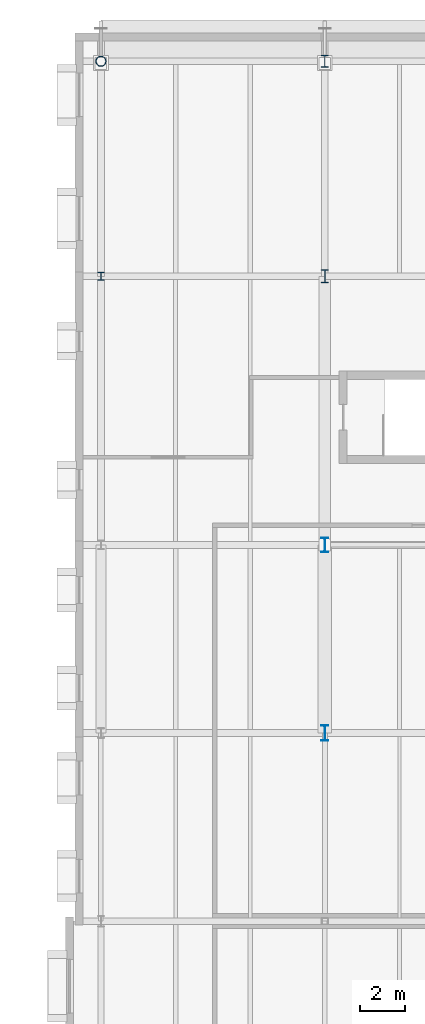
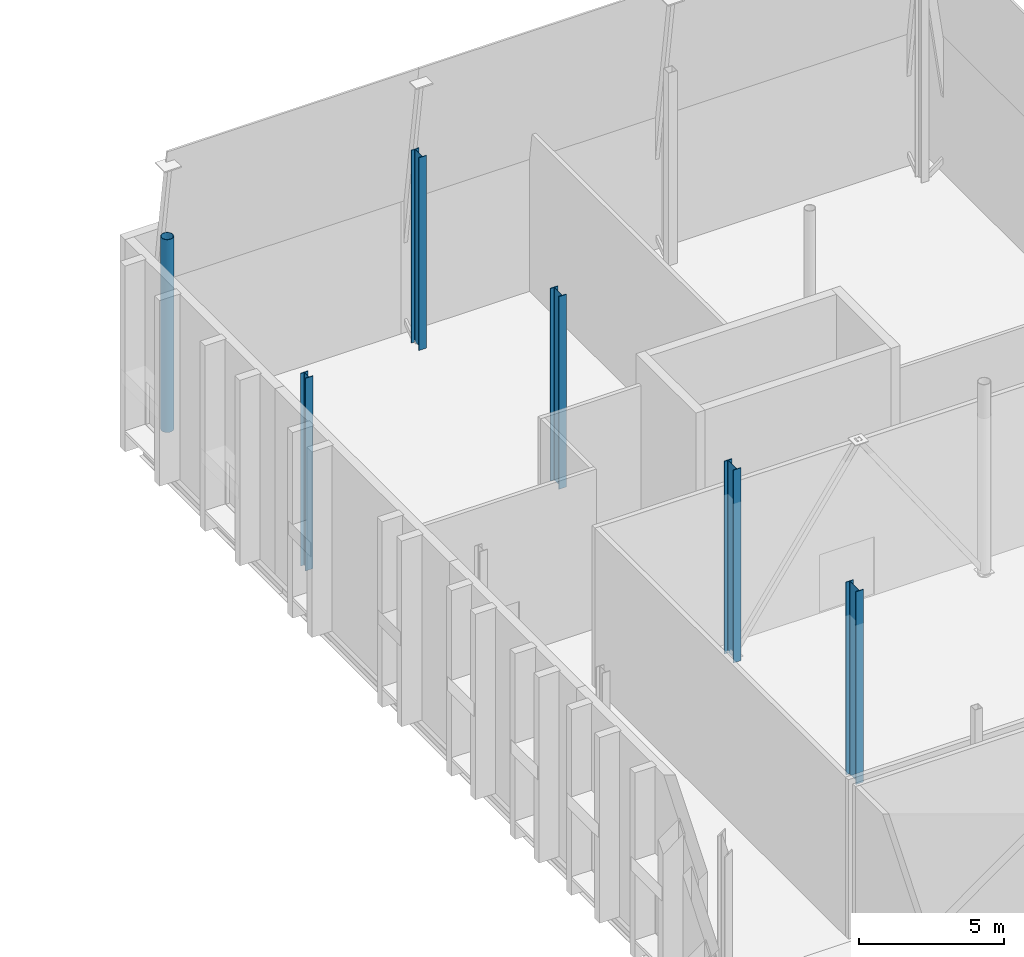
# One storey, part 11 of 79: 6 columns.
"""IFC4 building model written with IfcOpenShell, lengths in metres."""

from ifc_helpers import new_model, si_unit, direction, frame, origin, origin_2d, place, context, subcontext, project, spatial, hollow_circle, i_section, extrude, material, material_profile, profile_set, type_object, element, save


model = new_model("IFC4")

# Units and contexts
model_context = context("Model", 3, precision=1e-05, world=origin(), true_north=direction((0.0, 1.0)))
body_context = subcontext(model_context, "Body", "Model", "MODEL_VIEW")
ifc_project = project(units=[si_unit("LENGTHUNIT", "METRE"), si_unit("AREAUNIT", "SQUARE_METRE"), si_unit("VOLUMEUNIT", "CUBIC_METRE"), si_unit("PLANEANGLEUNIT", "RADIAN"), si_unit("MASSUNIT", "GRAM", prefix="KILO")], contexts=[model_context])

# Site, building, storey
site_placement = place(None, origin())
site = spatial("IfcSite", under=ifc_project, at=site_placement, CompositionType="ELEMENT")
building_placement = place(site_placement, origin())
building = spatial("IfcBuilding", under=site, at=building_placement, Name="Zereglee Splitstone Museum", CompositionType="ELEMENT")
storey_placement = place(building_placement, frame((0.0, 0.0, 9.0)))
storey = spatial("IfcBuildingStorey", under=building, at=storey_placement, Name="L02", CompositionType="ELEMENT", Elevation=9.0)

# Columns
ifc_material_1 = material(Name="Steel S355J2H", Category="steel")
ifc_material_profile_1 = material_profile(ifc_material_1, hollow_circle(Radius=0.228515625, WallThickness=0.02001953125, at=origin_2d()), Name="CHS 457.0x20")
ifc_profile_set_1 = profile_set([ifc_material_profile_1], Name="Steel S355J2H")
column_type_1 = type_object("IfcColumnType", Name="C-17", PredefinedType="COLUMN", material=ifc_profile_set_1)
column_1_placement = place(storey_placement, frame((175.199951171875, 60.0, 0.0), z_axis=(0.0, 0.0, 1.0), x_axis=(1.0, 0.0, 0.0)))
element("IfcColumn", 1, at=column_1_placement, inside=storey, type_object=column_type_1, Name="Column 20/G L02", PredefinedType="COLUMN", context=body_context, shape_type="SweptSolid", body=[
    extrude(hollow_circle(Radius=0.228515625, WallThickness=0.02001953125, at=origin_2d()), origin(), (0.0, 0.0, 1.0), 8.10009765625),
])
ifc_material_2 = material(Name="Steel S355J2", Category="steel")
ifc_material_profile_2 = material_profile(ifc_material_2, i_section(OverallWidth=0.300048828125, OverallDepth=0.360107421875, WebThickness=0.012451171875, FlangeThickness=0.0224609375, FilletRadius=0.027099609375, at=origin_2d()), Name="HE 360 B")
ifc_profile_set_2 = profile_set([ifc_material_profile_2], Name="Steel S355J2")
column_type_2 = type_object("IfcColumnType", Name="C-16", PredefinedType="COLUMN", material=ifc_profile_set_2)
column_2_placement = place(storey_placement, frame((175.199951171875, 50.39990234375, 0.0), z_axis=(0.0, 0.0, 1.0), x_axis=(1.0, 0.0, 0.0)))
element("IfcColumn", 2, at=column_2_placement, inside=storey, type_object=column_type_2, Name="Column 20/F L02", PredefinedType="COLUMN", context=body_context, shape_type="SweptSolid", body=[
    extrude(i_section(OverallWidth=0.300048828125, OverallDepth=0.360107421875, WebThickness=0.012451171875, FlangeThickness=0.0224609375, FilletRadius=0.027099609375, at=origin_2d()), origin(), (0.0, 0.0, 1.0), 8.10009765625),
])
ifc_material_profile_3 = material_profile(ifc_material_2, i_section(OverallWidth=0.300048828125, OverallDepth=0.550048828125, WebThickness=0.014892578125, FlangeThickness=0.029052734375, FilletRadius=0.027099609375, at=origin_2d()), Name="HE 550 B")
ifc_profile_set_3 = profile_set([ifc_material_profile_3], Name="Steel S355J2")
column_type_3 = type_object("IfcColumnType", Name="C-12", PredefinedType="COLUMN", material=ifc_profile_set_3)
column_3_placement = place(storey_placement, frame((185.199951171875, 60.0, 0.0), z_axis=(0.0, 0.0, 1.0), x_axis=(1.0, 0.0, 0.0)))
element("IfcColumn", 3, at=column_3_placement, inside=storey, type_object=column_type_3, Name="Column 21/G L02", PredefinedType="COLUMN", context=body_context, shape_type="SweptSolid", body=[
    extrude(i_section(OverallWidth=0.300048828125, OverallDepth=0.550048828125, WebThickness=0.014892578125, FlangeThickness=0.029052734375, FilletRadius=0.027099609375, at=origin_2d()), origin(), (0.0, 0.0, 1.0), 8.10009765625),
])
ifc_material_profile_4 = material_profile(ifc_material_2, i_section(OverallWidth=0.300048828125, OverallDepth=0.60009765625, WebThickness=0.015380859375, FlangeThickness=0.030029296875, FilletRadius=0.027099609375, at=origin_2d()), Name="HE 600 B")
ifc_profile_set_4 = profile_set([ifc_material_profile_4], Name="Steel S355J2")
column_type_4 = type_object("IfcColumnType", Name="C-11", PredefinedType="COLUMN", material=ifc_profile_set_4)
column_4_placement = place(storey_placement, frame((185.199951171875, 50.39990234375, 0.0), z_axis=(0.0, 0.0, 1.0), x_axis=(1.0, 0.0, 0.0)))
element("IfcColumn", 4, at=column_4_placement, inside=storey, type_object=column_type_4, Name="Column 21/F L02", PredefinedType="COLUMN", context=body_context, shape_type="SweptSolid", body=[
    extrude(i_section(OverallWidth=0.300048828125, OverallDepth=0.60009765625, WebThickness=0.015380859375, FlangeThickness=0.030029296875, FilletRadius=0.027099609375, at=origin_2d()), origin(), (0.0, 0.0, 1.0), 8.10009765625),
])
ifc_material_profile_5 = material_profile(ifc_material_2, i_section(OverallWidth=0.300048828125, OverallDepth=0.64990234375, WebThickness=0.01611328125, FlangeThickness=0.031005859375, FilletRadius=0.027099609375, at=origin_2d()), Name="HE 650 B")
ifc_profile_set_5 = profile_set([ifc_material_profile_5], Name="Steel S355J2")
column_type_5 = type_object("IfcColumnType", Name="C-10", PredefinedType="COLUMN", material=ifc_profile_set_5)
column_5_placement = place(storey_placement, frame((185.199951171875, 38.39990234375, 0.0), z_axis=(0.0, 0.0, 1.0), x_axis=(1.0, 0.0, 0.0)))
element("IfcColumn", 5, at=column_5_placement, inside=storey, type_object=column_type_5, Name="Column 21/E L02", PredefinedType="COLUMN", context=body_context, shape_type="SweptSolid", body=[
    extrude(i_section(OverallWidth=0.300048828125, OverallDepth=0.64990234375, WebThickness=0.01611328125, FlangeThickness=0.031005859375, FilletRadius=0.027099609375, at=origin_2d()), origin(), (0.0, 0.0, 1.0), 8.10009765625),
])
ifc_material_profile_6 = material_profile(ifc_material_2, i_section(OverallWidth=0.300048828125, OverallDepth=0.699951171875, WebThickness=0.01708984375, FlangeThickness=0.031982421875, FilletRadius=0.027099609375, at=origin_2d()), Name="HE 700 B")
ifc_profile_set_6 = profile_set([ifc_material_profile_6], Name="Steel S355J2")
column_type_6 = type_object("IfcColumnType", Name="C-09", PredefinedType="COLUMN", material=ifc_profile_set_6)
column_6_placement = place(storey_placement, frame((185.199951171875, 30.0, 0.0), z_axis=(0.0, 0.0, 1.0), x_axis=(1.0, 0.0, 0.0)))
element("IfcColumn", 6, at=column_6_placement, inside=storey, type_object=column_type_6, Name="Column 21/D L02", PredefinedType="COLUMN", context=body_context, shape_type="SweptSolid", body=[
    extrude(i_section(OverallWidth=0.300048828125, OverallDepth=0.699951171875, WebThickness=0.01708984375, FlangeThickness=0.031982421875, FilletRadius=0.027099609375, at=origin_2d()), origin(), (0.0, 0.0, 1.0), 8.10009765625),
])

save(model, "model.ifc")
